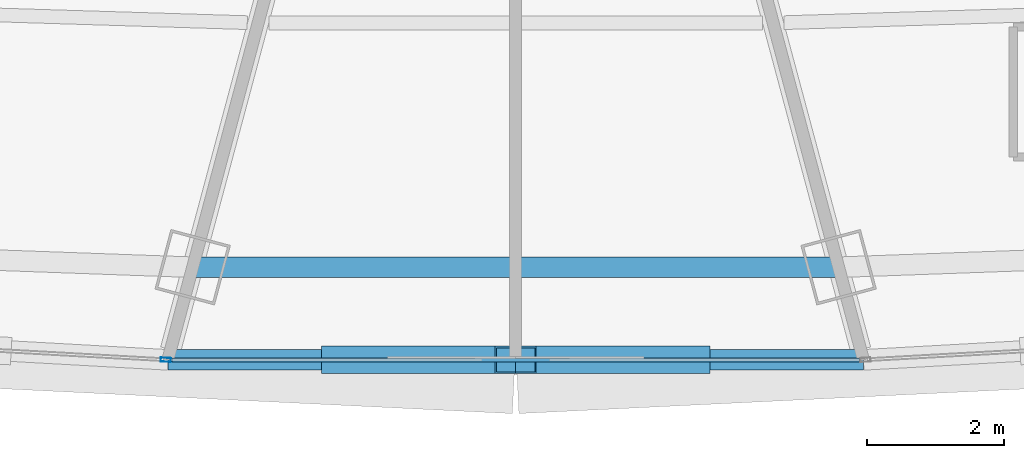
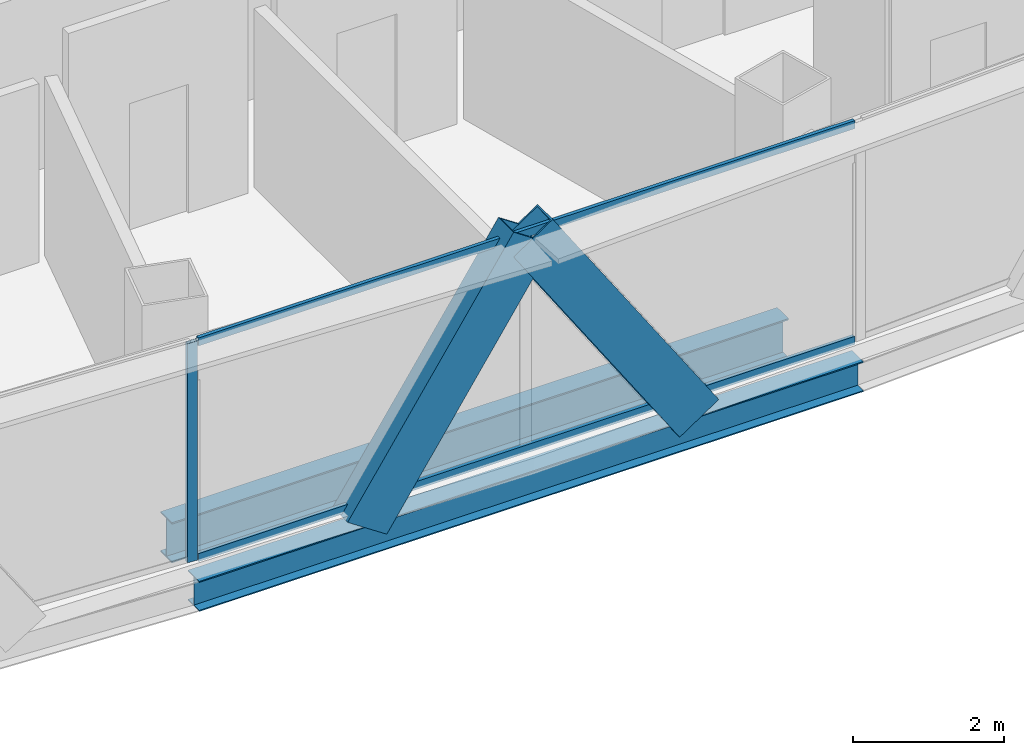
# One storey, part 10 of 36: 5 members, 2 beams, 2 elements without a shape of their own.
"""IFC4 building model written with IfcOpenShell, lengths in metres."""

from ifc_helpers import new_model, si_unit, direction, frame, origin, origin_2d, place, context, subcontext, project, spatial, hollow_rectangle, i_section, extrude, source, transform, mapped, material, layer, layer_set, material_profile, profile_set, type_object, element, aggregate, save


model = new_model("IFC4")

# Units and contexts
model_context = context("Model", 3, precision=1e-05, world=origin(), true_north=direction((0.0, 1.0)))
body_context = subcontext(model_context, "Body", "Model", "MODEL_VIEW")
ifc_project = project(units=[si_unit("LENGTHUNIT", "METRE"), si_unit("AREAUNIT", "SQUARE_METRE"), si_unit("VOLUMEUNIT", "CUBIC_METRE"), si_unit("PLANEANGLEUNIT", "RADIAN"), si_unit("MASSUNIT", "GRAM", prefix="KILO"), si_unit("THERMODYNAMICTEMPERATUREUNIT", "KELVIN"), si_unit("POWERUNIT", "WATT")], contexts=[model_context])

# Site, building, storey
site_placement = place(None, origin())
site = spatial("IfcSite", under=ifc_project, at=site_placement, CompositionType="ELEMENT")
building_placement = place(site_placement, origin())
building = spatial("IfcBuilding", under=site, at=building_placement, Name="Yunzhuo Pagoda Commons", CompositionType="ELEMENT")
storey_placement = place(building_placement, frame((0.0, 0.0, 211.360107421875)))
storey = spatial("IfcBuildingStorey", under=building, at=storey_placement, Name="L53", CompositionType="ELEMENT", Elevation=211.360107421875)

# Beams
ifc_material_1 = material(Name="Structural steel Q355B", Category="steel")
ifc_material_profile_1 = material_profile(ifc_material_1, i_section(OverallWidth=0.300048828125, OverallDepth=0.64990234375, WebThickness=0.012939453125, FlangeThickness=0.02197265625, at=origin_2d()), Name="Structural steel Q355B")
ifc_profile_set_1 = profile_set([ifc_material_profile_1], Name="Structural steel Q355B")
beam_type_1 = type_object("IfcBeamType", Name="B-RG2 Beam HN 650x300x13x22", PredefinedType="BEAM", material=ifc_profile_set_1)
shared_shape_1 = source(origin(), body_context, "Body", "SweptSolid", [
    extrude(i_section(OverallWidth=0.300048828125, OverallDepth=0.64990234375, WebThickness=0.012939453125, FlangeThickness=0.02197265625, at=origin_2d()), origin(), (0.0, 0.0, 1.0), 9.42529296875),
])
beam_1_placement = place(storey_placement, frame((43.28759765625, 16.1123046875, -0.585205078125), z_axis=(1.0, 0.0, 0.0), x_axis=(0.0, 1.0, 0.0)))
element("IfcBeam", 1, at=beam_1_placement, inside=storey, type_object=beam_type_1, Name="L53 column-ring beam 2", PredefinedType="BEAM", context=body_context, shape_type="MappedRepresentation", body=[
    mapped(shared_shape_1, transform((0.0, 0.0, 0.0), scale=1.0)),
])
ifc_material_profile_2 = material_profile(ifc_material_1, i_section(OverallWidth=0.300048828125, OverallDepth=0.488037109375, WebThickness=0.010986328125, FlangeThickness=0.01806640625, at=origin_2d()), Name="Structural steel Q355B")
ifc_profile_set_2 = profile_set([ifc_material_profile_2], Name="Structural steel Q355B")
beam_type_2 = type_object("IfcBeamType", Name="B-SP1 Beam HM 488x300x11x18", PredefinedType="BEAM", material=ifc_profile_set_2)
shared_shape_2 = source(origin(), body_context, "Body", "SweptSolid", [
    extrude(i_section(OverallWidth=0.300048828125, OverallDepth=0.488037109375, WebThickness=0.010986328125, FlangeThickness=0.01806640625, at=origin_2d()), origin(), (0.0, 0.0, 1.0), 10.14990234375),
])
beam_2_placement = place(storey_placement, frame((42.925048828125, 14.760498046875, -0.504150390625), z_axis=(1.0, 0.0, 0.0), x_axis=(0.0, 1.0, 0.0)))
element("IfcBeam", 2, at=beam_2_placement, inside=storey, type_object=beam_type_2, Name="L53 facade edge spandrel beam F1.2", PredefinedType="BEAM", context=body_context, shape_type="MappedRepresentation", body=[
    mapped(shared_shape_2, transform((0.0, 0.0, 0.0), scale=1.0)),
])

# Members
ifc_material_profile_3 = material_profile(ifc_material_1, hollow_rectangle(XDim=0.39990234375, YDim=0.719970703125, WallThickness=0.02392578125, at=origin_2d()), Name="Structural steel Q355B")
ifc_profile_set_3 = profile_set([ifc_material_profile_3], Name="Structural steel Q355B")
member_type_1 = type_object("IfcMemberType", Name="M-DL2 Brace BOX 720x400x24", PredefinedType="BRACE", material=ifc_profile_set_3)
shared_shape_3 = source(origin(), body_context, "Body", "SweptSolid", [
    extrude(hollow_rectangle(XDim=0.39990234375, YDim=0.719970703125, WallThickness=0.02392578125, at=origin_2d()), origin(), (0.0, 0.0, 1.0), 4.56884765625),
])
member_1_placement = place(storey_placement, frame((45.462890625, 14.760498046875, -0.260009765625), z_axis=(0.555291946385, 0.0, 0.83165549014), x_axis=(0.0, 1.0, 0.0)))
element("IfcMember", 3, at=member_1_placement, inside=storey, type_object=member_type_1, Name="L53 facade diamond brace F1.2L", PredefinedType="BRACE", context=body_context, shape_type="MappedRepresentation", body=[
    mapped(shared_shape_3, transform((0.0, 0.0, 0.0), scale=1.0)),
])
shared_shape_4 = source(origin(), body_context, "Body", "SweptSolid", [
    extrude(hollow_rectangle(XDim=0.39990234375, YDim=0.719970703125, WallThickness=0.02392578125, at=origin_2d()), origin(), (0.0, 0.0, 1.0), 4.5693359375),
])
member_2_placement = place(storey_placement, frame((50.53759765625, 14.760498046875, -0.260009765625), z_axis=(-0.555365855923, 0.0, 0.831606136386), x_axis=(0.0, -1.0, 0.0)))
element("IfcMember", 4, at=member_2_placement, inside=storey, type_object=member_type_1, Name="L53 facade diamond brace F1.2R", PredefinedType="BRACE", context=body_context, shape_type="MappedRepresentation", body=[
    mapped(shared_shape_4, transform((0.0, 0.0, 0.0), scale=1.0)),
])

# Curtain wall, member
ifc_material_2 = material(Name="Anodized aluminium 6063-T6", Category="aluminium")
ifc_layer = layer(ifc_material_2, 0.14990234375)
ifc_layer_set = layer_set([ifc_layer], Name="Anodized aluminium 6063-T6")
curtain_wall_type = type_object("IfcCurtainWallType", Name="CW-MID Mid-Zone Ribbon Curtain Wall", PredefinedType="NOTDEFINED", material=ifc_layer_set)
curtain_wall_1_placement = place(storey_placement, origin())
curtain_wall_1 = element("IfcCurtainWall", 5, at=curtain_wall_1_placement, inside=storey, type_object=curtain_wall_type, Name="L53 curtain wall CW-L53-F1B2", PredefinedType="NOTDEFINED")
ifc_material_profile_4 = material_profile(ifc_material_2, hollow_rectangle(XDim=0.06005859375, YDim=0.14990234375, WallThickness=0.00390625, at=origin_2d()), Name="Anodized aluminium 6063-T6")
ifc_profile_set_4 = profile_set([ifc_material_profile_4], Name="Anodized aluminium 6063-T6")
member_type_2 = type_object("IfcMemberType", Name="CW-MID-M Mullion RHS 150x60x4", PredefinedType="MULLION", material=ifc_profile_set_4)
shared_shape_5 = source(origin(), body_context, "Body", "SweptSolid", [
    extrude(hollow_rectangle(XDim=0.06005859375, YDim=0.14990234375, WallThickness=0.00390625, at=origin_2d()), origin(), (0.0, 0.0, 1.0), 3.539794921875),
])
member_3_placement = place(storey_placement, frame((42.895263671875, 14.761962890625, 0.0), z_axis=(0.0, 0.0, 1.0), x_axis=(0.055641789149, 0.998450795633, 0.0)))
member_3 = element("IfcMember", 6, at=member_3_placement, type_object=member_type_2, Name="CW mullion 2", PredefinedType="MULLION", context=body_context, shape_type="MappedRepresentation", body=[
    mapped(shared_shape_5, transform((0.0, 0.0, 0.0), scale=1.0)),
])
aggregate(curtain_wall_1, [member_3])

# Curtain wall, members
curtain_wall_2_placement = place(storey_placement, origin())
curtain_wall_2 = element("IfcCurtainWall", 7, at=curtain_wall_2_placement, inside=storey, type_object=curtain_wall_type, Name="L53 curtain wall CW-L53-F1B3", PredefinedType="NOTDEFINED")
ifc_material_profile_5 = material_profile(ifc_material_2, hollow_rectangle(XDim=0.054931640625, YDim=0.1298828125, WallThickness=0.00341796875, at=origin_2d()), Name="Anodized aluminium 6063-T6")
ifc_profile_set_5 = profile_set([ifc_material_profile_5], Name="Anodized aluminium 6063-T6")
member_type_3 = type_object("IfcMemberType", Name="CW-MID-T Transom RHS 130x55x3.5", PredefinedType="USERDEFINED", material=ifc_profile_set_5)
shared_shape_6 = source(origin(), body_context, "Body", "SweptSolid", [
    extrude(hollow_rectangle(XDim=0.054931640625, YDim=0.1298828125, WallThickness=0.00341796875, at=origin_2d()), origin(), (0.0, 0.0, 1.0), 10.02978515625),
])
member_4_placement = place(storey_placement, frame((42.985107421875, 14.760498046875, 0.02734375), z_axis=(1.0, 0.0, 0.0), x_axis=(0.0, 1.0, 0.0)))
member_4 = element("IfcMember", 8, at=member_4_placement, type_object=member_type_3, Name="CW transom 1.1", ObjectType="TRANSOM", PredefinedType="USERDEFINED", context=body_context, shape_type="MappedRepresentation", body=[
    mapped(shared_shape_6, transform((0.0, 0.0, 0.0), scale=1.0)),
])
member_5_placement = place(storey_placement, frame((42.985107421875, 14.760498046875, 3.512451171875), z_axis=(1.0, 0.0, 0.0), x_axis=(0.0, 1.0, 0.0)))
member_5 = element("IfcMember", 9, at=member_5_placement, type_object=member_type_3, Name="CW transom 1.2", ObjectType="TRANSOM", PredefinedType="USERDEFINED", context=body_context, shape_type="MappedRepresentation", body=[
    mapped(shared_shape_6, transform((0.0, 0.0, 0.0), scale=1.0)),
])
aggregate(curtain_wall_2, [member_4, member_5])

save(model, "model.ifc")
